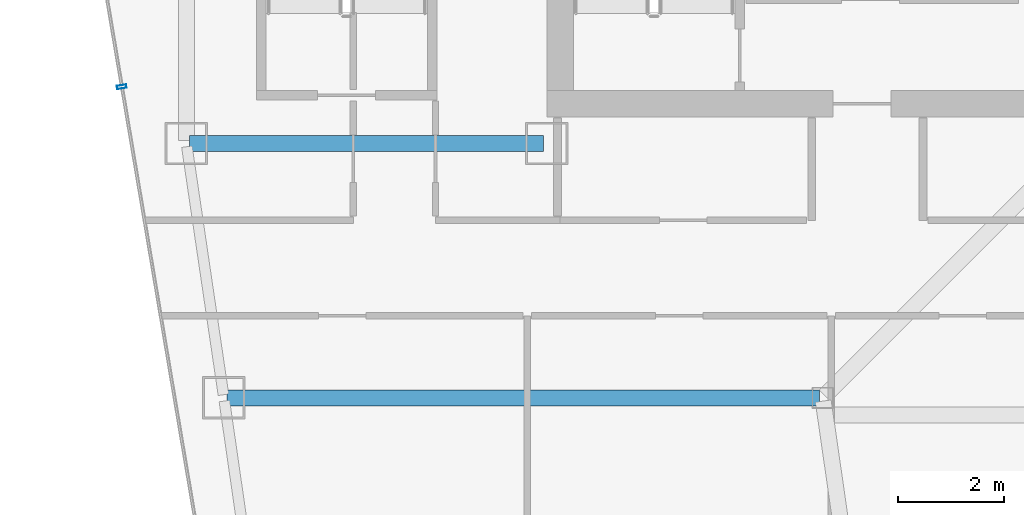
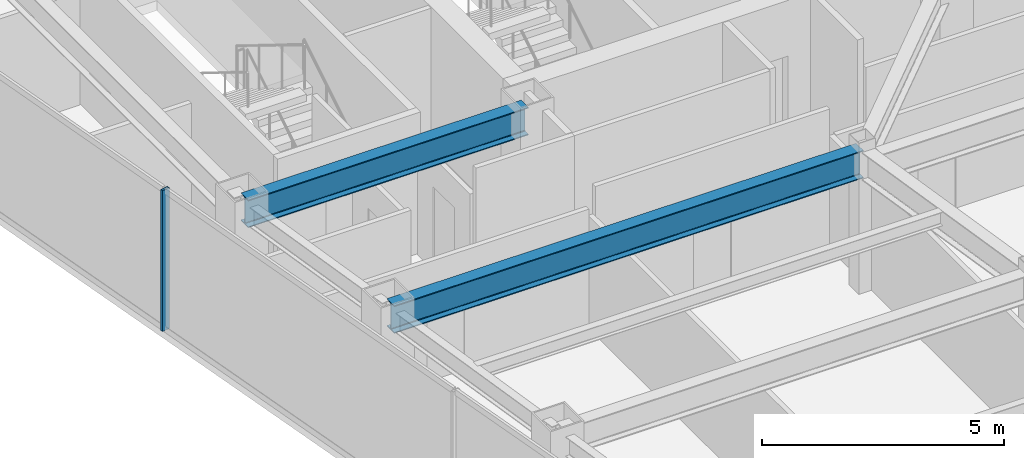
# One storey, part 11 of 36: 2 beams, 1 member, 1 element without a shape of its own.
"""IFC4 building model written with IfcOpenShell, lengths in metres."""

from ifc_helpers import new_model, si_unit, direction, frame, origin, origin_2d, place, context, subcontext, project, spatial, hollow_rectangle, i_section, extrude, material, material_profile, profile_set, type_object, element, aggregate, save


model = new_model("IFC4")

# Units and contexts
model_context = context("Model", 3, precision=1e-05, world=origin(), true_north=direction((0.0, 1.0)))
body_context = subcontext(model_context, "Body", "Model", "MODEL_VIEW")
ifc_project = project(units=[si_unit("LENGTHUNIT", "METRE"), si_unit("AREAUNIT", "SQUARE_METRE"), si_unit("VOLUMEUNIT", "CUBIC_METRE"), si_unit("PLANEANGLEUNIT", "RADIAN"), si_unit("MASSUNIT", "GRAM", prefix="KILO")], contexts=[model_context])

# Site, building, storey
site_placement = place(None, origin())
site = spatial("IfcSite", under=ifc_project, at=site_placement, CompositionType="ELEMENT")
building_placement = place(site_placement, origin())
building = spatial("IfcBuilding", under=site, at=building_placement, Name="Saevonmaru Cultural Tower", CompositionType="ELEMENT")
storey_placement = place(building_placement, frame((0.0, 0.0, 186.60009765625)))
storey = spatial("IfcBuildingStorey", under=building, at=storey_placement, Name="L42", CompositionType="ELEMENT", Elevation=186.60009765625)

# Beams
ifc_material_1 = material(Name="Steel SM355", Category="steel")
ifc_material_profile_1 = material_profile(ifc_material_1, i_section(OverallWidth=0.300048828125, OverallDepth=0.699951171875, WebThickness=0.012939453125, FlangeThickness=0.02392578125, FilletRadius=0.02587890625, at=origin_2d()), Name="H-700x300x13x24")
ifc_profile_set_1 = profile_set([ifc_material_profile_1], Name="Steel SM355")
beam_type = type_object("IfcBeamType", Name="BM-G-H700", PredefinedType="BEAM", material=ifc_profile_set_1)
beam_1_placement = place(storey_placement, frame((6.860107421875, 42.39990234375, 3.199951171875), z_axis=(1.0, 0.0, 0.0), x_axis=(0.0, 1.0, 0.0)))
element("IfcBeam", 1, at=beam_1_placement, inside=storey, type_object=beam_type, Name="L42 Core South Girder 1", PredefinedType="BEAM", context=body_context, shape_type="SweptSolid", body=[
    extrude(i_section(OverallWidth=0.300048828125, OverallDepth=0.699951171875, WebThickness=0.012939453125, FlangeThickness=0.02392578125, FilletRadius=0.02587890625, at=origin_2d()), origin(), (0.0, 0.0, 1.0), 6.679931640625),
])
beam_2_placement = place(storey_placement, frame((7.568115234375, 37.60009765625, 3.199951171875), z_axis=(1.0, 0.0, 0.0), x_axis=(0.0, 1.0, 0.0)))
element("IfcBeam", 2, at=beam_2_placement, inside=storey, type_object=beam_type, Name="L42 West Wing Transverse Girder 4", PredefinedType="BEAM", context=body_context, shape_type="SweptSolid", body=[
    extrude(i_section(OverallWidth=0.300048828125, OverallDepth=0.699951171875, WebThickness=0.012939453125, FlangeThickness=0.02392578125, FilletRadius=0.02587890625, at=origin_2d()), origin(), (0.0, 0.0, 1.0), 11.179931640625),
])

# Curtain wall, member
ifc_material_2 = material(Name="Satin Bronze Anodised Aluminium", Category="aluminium")
curtain_wall_type = type_object("IfcCurtainWallType", Name="CW-TYP-B", PredefinedType="NOTDEFINED", material=ifc_material_2)
curtain_wall_placement = place(storey_placement, origin())
curtain_wall = element("IfcCurtainWall", 3, at=curtain_wall_placement, inside=storey, type_object=curtain_wall_type, Name="L42 Unitised Curtain Wall E12", PredefinedType="NOTDEFINED")
ifc_material_profile_2 = material_profile(ifc_material_2, hollow_rectangle(XDim=0.06494140625, YDim=0.179931640625, WallThickness=0.00390625, at=origin_2d()), Name="ALU-MULL-180x65x4")
ifc_profile_set_2 = profile_set([ifc_material_profile_2], Name="Satin Bronze Anodised Aluminium")
member_type = type_object("IfcMemberType", Name="ML-CW-180x65", PredefinedType="MULLION", material=ifc_profile_set_2)
member_placement = place(storey_placement, frame((5.579345703125, 43.470458984375, 0.0), z_axis=(0.0, 0.0, 1.0), x_axis=(0.16692169721, -0.985970155228, 0.0)))
member = element("IfcMember", 4, at=member_placement, type_object=member_type, Name="CW-TW-L42-E12 mullion 2", PredefinedType="MULLION", context=body_context, shape_type="SweptSolid", body=[
    extrude(hollow_rectangle(XDim=0.06494140625, YDim=0.179931640625, WallThickness=0.00390625, at=origin_2d()), origin(), (0.0, 0.0, 1.0), 3.5498046875),
])
aggregate(curtain_wall, [member])

save(model, "model.ifc")
